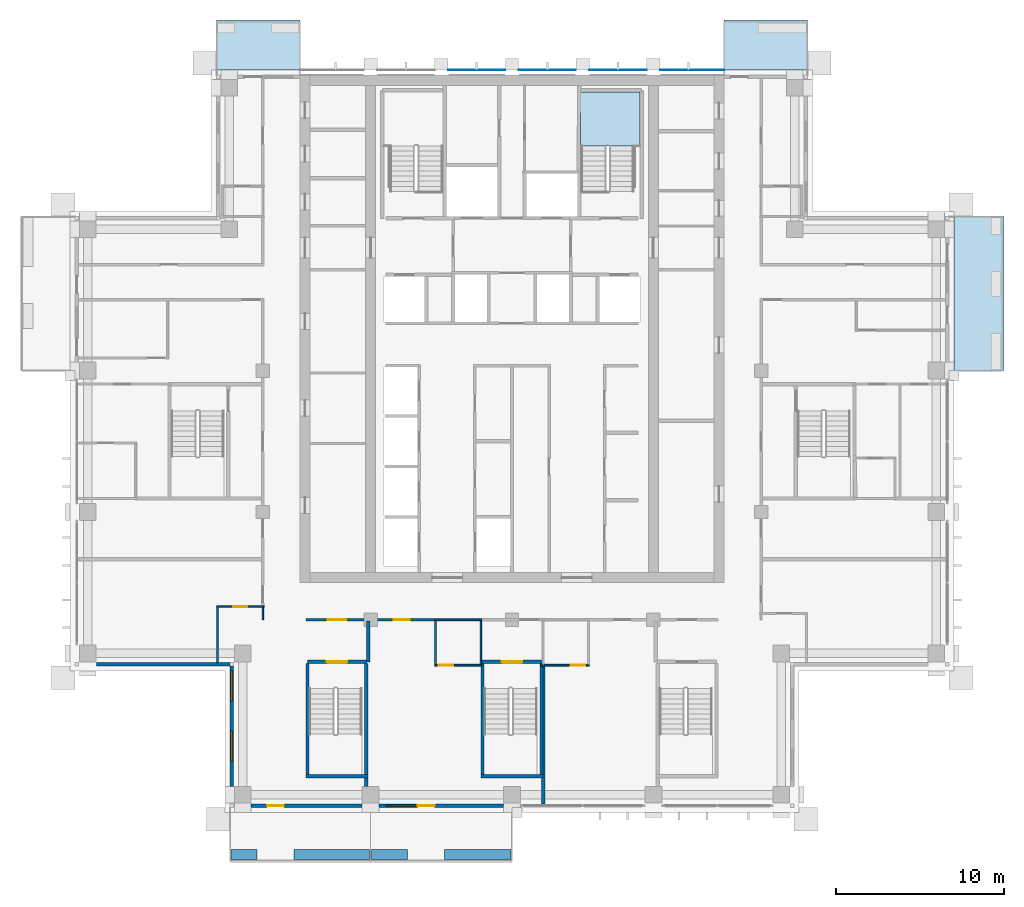
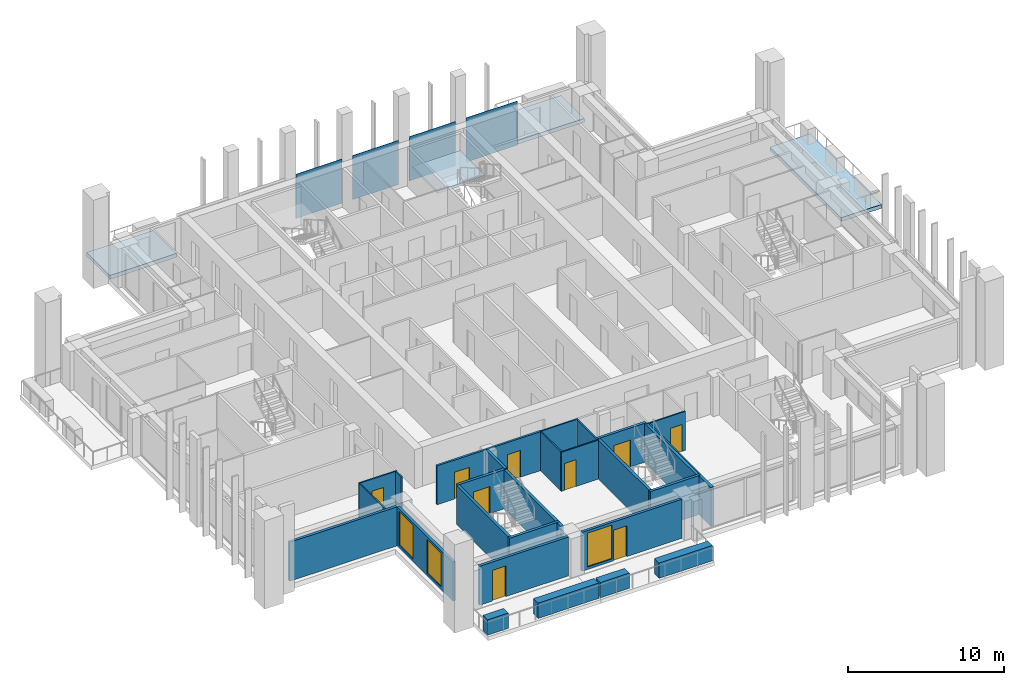
# One storey, part 6 of 16: 27 walls, 9 doors, 4 plates, 4 slabs, 3 windows, 12 openings, 1 element without a shape of its own.
"""IFC4 building model written with IfcOpenShell, lengths in metres."""

from ifc_helpers import new_model, si_unit, direction, frame, frame_2d, origin, origin_2d, place, context, subcontext, project, spatial, polyline, rectangle, outline, extrude, material, layer, layer_set, type_object, element, fill, aggregate, save


model = new_model("IFC4")

# Units and contexts
model_context = context("Model", 3, precision=1e-05, world=origin(), true_north=direction((0.0, 1.0)))
body_context = subcontext(model_context, "Body", "Model", "MODEL_VIEW")
ifc_project = project(units=[si_unit("LENGTHUNIT", "METRE"), si_unit("AREAUNIT", "SQUARE_METRE"), si_unit("VOLUMEUNIT", "CUBIC_METRE"), si_unit("PLANEANGLEUNIT", "RADIAN"), si_unit("MASSUNIT", "GRAM", prefix="KILO")], contexts=[model_context])

# Site, building, storey
site_placement = place(None, origin())
site = spatial("IfcSite", under=ifc_project, at=site_placement, CompositionType="ELEMENT")
building_placement = place(site_placement, origin())
building = spatial("IfcBuilding", under=site, at=building_placement, Name="Vermilion Ogive Tower", CompositionType="ELEMENT")
storey_placement = place(building_placement, frame((0.0, 0.0, 206.60009765625)))
storey = spatial("IfcBuildingStorey", under=building, at=storey_placement, Name="L54", CompositionType="ELEMENT", Elevation=206.60009765625)

# Slabs
ifc_material_1 = material(Name="Concrete B40", Category="concrete")
ifc_layer_1 = layer(ifc_material_1, 0.300048828125)
ifc_layer_set_1 = layer_set([ifc_layer_1], Name="Balcony slab")
slab_type_1 = type_object("IfcSlabType", Name="Balcony slab", PredefinedType="FLOOR", material=ifc_layer_set_1)
slab_1_placement = place(storey_placement, frame((0.0, 0.0, -0.340087890625)))
element("IfcSlab", 1, at=slab_1_placement, inside=storey, type_object=slab_type_1, Name="Balcony slab E03", PredefinedType="FLOOR", context=body_context, shape_type="SweptSolid", body=[
    extrude(outline(polyline([(29.22998046875, 4.199951171875), (29.22998046875, 13.35009765625), (26.25, 13.35009765625), (26.25, 4.199951171875), (29.22998046875, 4.199951171875)])), origin(), (0.0, 0.0, 1.0), 0.300048828125),
])
slab_2_placement = place(storey_placement, frame((0.0, 0.0, -0.340087890625)))
element("IfcSlab", 2, at=slab_2_placement, inside=storey, type_object=slab_type_1, Name="Balcony slab N101", PredefinedType="FLOOR", context=body_context, shape_type="SweptSolid", body=[
    extrude(outline(polyline([(17.550048828125, 25.030029296875), (12.60009765625, 25.030029296875), (12.60009765625, 22.050048828125), (17.550048828125, 22.050048828125), (17.550048828125, 25.030029296875)])), origin(), (0.0, 0.0, 1.0), 0.300048828125),
])
slab_3_placement = place(storey_placement, frame((0.0, 0.0, -0.340087890625)))
element("IfcSlab", 3, at=slab_3_placement, inside=storey, type_object=slab_type_1, Name="Balcony slab N201", PredefinedType="FLOOR", context=body_context, shape_type="SweptSolid", body=[
    extrude(outline(polyline([(-12.60009765625, 25.030029296875), (-17.550048828125, 25.030029296875), (-17.550048828125, 22.050048828125), (-12.60009765625, 22.050048828125), (-12.60009765625, 25.030029296875)])), origin(), (0.0, 0.0, 1.0), 0.300048828125),
])

# Plates
ifc_material_2 = material(Name="Low-iron laminated glazing in aluminium frame", Category="aluminium")
ifc_layer_2 = layer(ifc_material_2, 0.031982421875)
ifc_layer_set_2 = layer_set([ifc_layer_2], Name="Glazed rainscreen sheet 32")
plate_type = type_object("IfcPlateType", Name="Glazed rainscreen sheet 32", PredefinedType="SHEET", material=ifc_layer_set_2)
for number, where, z_axis, x_axis, name in (
    (4, (-2.10009765625, 22.06591796875, -0.39990234375), (0.0, 0.0, 1.0), (1.0, 0.0, 0.0), "Glazed rainscreen sheet N3"),
    (5, (2.10009765625, 22.06591796875, -0.39990234375), (0.0, 0.0, 1.0), (1.0, 0.0, 0.0), "Glazed rainscreen sheet N4"),
    (6, (6.300048828125, 22.06591796875, -0.39990234375), (0.0, 0.0, 1.0), (1.0, 0.0, 0.0), "Glazed rainscreen sheet N5"),
):
    element("IfcPlate", number, at=place(storey_placement, frame(where, z_axis=z_axis, x_axis=x_axis)), inside=storey, type_object=plate_type, Name=name, PredefinedType="SHEET", context=body_context, shape_type="SweptSolid", body=[
        extrude(rectangle(XDim=3.39990234375, YDim=0.031982421875, at=origin_2d()), origin(), (0.0, 0.0, 1.0), 3.449951171875),
    ])
plate_placement = place(storey_placement, frame((10.7099609375, 22.06591796875, -0.39990234375), z_axis=(0.0, 0.0, 1.0), x_axis=(1.0, 0.0, 0.0)))
element("IfcPlate", 7, at=plate_placement, inside=storey, type_object=plate_type, Name="Glazed rainscreen sheet N6", PredefinedType="SHEET", context=body_context, shape_type="SweptSolid", body=[
    extrude(rectangle(XDim=3.820068359375, YDim=0.031982421875, at=origin_2d()), origin(), (0.0, 0.0, 1.0), 3.449951171875),
])

# Stair, slab
ifc_material_3 = material(Name="Concrete B40", Category="concrete")
stair_type = type_object("IfcStairType", Name="Exit stair 1500", PredefinedType="HALF_TURN_STAIR", material=ifc_material_3)
stair_placement = place(storey_placement, origin())
stair = element("IfcStair", 8, at=stair_placement, inside=storey, type_object=stair_type, Name="L54 Exit Stair ST2", PredefinedType="HALF_TURN_STAIR")
ifc_material_4 = material(Name="Concrete B40", Category="concrete")
ifc_layer_3 = layer(ifc_material_4, 0.199951171875)
ifc_layer_set_3 = layer_set([ifc_layer_3], Name="Stair landing 200")
slab_type_2 = type_object("IfcSlabType", Name="Stair landing 200", PredefinedType="LANDING", material=ifc_layer_set_3)
slab_4_placement = place(storey_placement, frame((0.0, 0.0, 1.52490234375)))
slab_4 = element("IfcSlab", 9, at=slab_4_placement, type_object=slab_type_2, Name="ST2 landing 1", PredefinedType="LANDING", context=body_context, shape_type="SweptSolid", body=[
    extrude(outline(polyline([(5.60009765625, 17.550048828125), (5.75, 17.550048828125), (5.75, 17.548095703125), (7.25, 17.548095703125), (7.25, 17.550048828125), (7.60009765625, 17.550048828125), (7.60009765625, 20.75), (4.074951171875, 20.75), (4.074951171875, 17.550048828125), (4.10009765625, 17.550048828125), (4.10009765625, 17.548095703125), (5.60009765625, 17.548095703125), (5.60009765625, 17.550048828125)])), origin(), (0.0, 0.0, 1.0), 0.199951171875),
])
aggregate(stair, [slab_4])

# Wall, opening, door
ifc_material_5 = material(Name="Gypsum board partition on steel studs", Category="steel")
ifc_layer_4 = layer(ifc_material_5, 0.10009765625)
ifc_layer_set_4 = layer_set([ifc_layer_4], Name="Partition 100 bath")
wall_type_1 = type_object("IfcWallType", Name="Partition 100 bath", PredefinedType="PARTITIONING", material=ifc_layer_set_4)
wall_1_placement = place(storey_placement, frame((-4.597900390625, -13.300048828125, 0.0), z_axis=(0.0, 0.0, 1.0), x_axis=(1.0, 0.0, 0.0)))
wall_1 = element("IfcWall", 10, at=wall_1_placement, inside=storey, type_object=wall_type_1, Name="L54-W-W002", PredefinedType="PARTITIONING", context=body_context, shape_type="SweptSolid", body=[
    extrude(rectangle(XDim=2.7958984375, YDim=0.10009765625, at=frame_2d((1.39794921875, 0.0))), origin(), (0.0, 0.0, 1.0), 3.0498046875),
])
opening_1_placement = place(wall_1_placement, frame((0.247802734375, 0.0, 0.0)))
opening_1 = element("IfcOpeningElement", 11, at=opening_1_placement, cuts=wall_1, Name="Opening D4G5010", PredefinedType="OPENING", context=body_context, shape_type="SweptSolid", body=[
    extrude(rectangle(XDim=0.85009765625, YDim=2.10009765625, at=frame_2d((0.425048828125, 1.050048828125))), frame((0.0, 0.06005859375, 0.0), z_axis=(0.0, -1.0, 0.0), x_axis=(1.0, 0.0, 0.0)), (0.0, 0.0, 1.0), 0.1201171875),
])
ifc_material_6 = material(Name="Timber door leaf", Category="wood")
door_type_1 = type_object("IfcDoorType", Name="Bath door 850 x 2100 FD30", OperationType="SINGLE_SWING_LEFT", PredefinedType="DOOR", material=ifc_material_6)
door_1_placement = place(opening_1_placement, origin())
door_1 = element("IfcDoor", 12, at=door_1_placement, inside=storey, type_object=door_type_1, Name="L54-D-D010", OperationType="SINGLE_SWING_LEFT", OverallHeight=2.10009765625, OverallWidth=0.85009765625, PredefinedType="DOOR", context=body_context, shape_type="SweptSolid", body=[
    extrude(rectangle(XDim=0.85009765625, YDim=2.10009765625, at=frame_2d((0.425048828125, 1.050048828125))), frame((0.0, 0.02490234375, 0.0), z_axis=(0.0, -1.0, 0.0), x_axis=(1.0, 0.0, 0.0)), (0.0, 0.0, 1.0), 0.050048828125),
])
fill(opening_1, door_1)

wall_2_placement = place(storey_placement, frame((1.75, -13.300048828125, 0.0), z_axis=(0.0, 0.0, 1.0), x_axis=(1.0, 0.0, 0.0)))
wall_2 = element("IfcWall", 13, at=wall_2_placement, inside=storey, type_object=wall_type_1, Name="L54-W-W003", PredefinedType="PARTITIONING", context=body_context, shape_type="SweptSolid", body=[
    extrude(rectangle(XDim=2.85009765625, YDim=0.10009765625, at=frame_2d((1.425048828125, 0.0))), origin(), (0.0, 0.0, 1.0), 3.0498046875),
])
opening_2_placement = place(wall_2_placement, frame((1.75, 0.0, 0.0)))
opening_2 = element("IfcOpeningElement", 14, at=opening_2_placement, cuts=wall_2, Name="Opening D4G5012", PredefinedType="OPENING", context=body_context, shape_type="SweptSolid", body=[
    extrude(rectangle(XDim=0.85009765625, YDim=2.10009765625, at=frame_2d((0.425048828125, 1.050048828125))), frame((0.0, 0.06005859375, 0.0), z_axis=(0.0, -1.0, 0.0), x_axis=(1.0, 0.0, 0.0)), (0.0, 0.0, 1.0), 0.1201171875),
])
door_2_placement = place(opening_2_placement, origin())
door_2 = element("IfcDoor", 15, at=door_2_placement, inside=storey, type_object=door_type_1, Name="L54-D-D012", OperationType="SINGLE_SWING_RIGHT", OverallHeight=2.10009765625, OverallWidth=0.85009765625, PredefinedType="DOOR", context=body_context, shape_type="SweptSolid", body=[
    extrude(rectangle(XDim=0.85009765625, YDim=2.10009765625, at=frame_2d((0.425048828125, 1.050048828125))), frame((0.0, 0.02490234375, 0.0), z_axis=(0.0, -1.0, 0.0), x_axis=(1.0, 0.0, 0.0)), (0.0, 0.0, 1.0), 0.050048828125),
])
fill(opening_2, door_2)

# Wall
wall_3_placement = place(storey_placement, frame((-4.60009765625, -10.60009765625, 0.0), z_axis=(0.0, 0.0, 1.0), x_axis=(1.0, 0.0, 0.0)))
element("IfcWall", 16, at=wall_3_placement, inside=storey, type_object=wall_type_1, Name="L54-W-W008", PredefinedType="PARTITIONING", context=body_context, shape_type="SweptSolid", body=[
    extrude(rectangle(XDim=2.800048828125, YDim=0.10009765625, at=frame_2d((1.39990234375, 0.0))), origin(), (0.0, 0.0, 1.0), 3.0498046875),
])

# Wall, opening, door
wall_4_placement = place(storey_placement, frame((-17.550048828125, -9.820068359375, 0.0), z_axis=(0.0, 0.0, 1.0), x_axis=(1.0, 0.0, 0.0)))
wall_4 = element("IfcWall", 17, at=wall_4_placement, inside=storey, type_object=wall_type_1, Name="L54-W-W013", PredefinedType="PARTITIONING", context=body_context, shape_type="SweptSolid", body=[
    extrude(rectangle(XDim=2.824951171875, YDim=0.10009765625, at=frame_2d((1.41259765625, 0.0))), origin(), (0.0, 0.0, 1.0), 3.0498046875),
])
opening_3_placement = place(wall_4_placement, frame((0.97509765625, 0.0, 0.0)))
opening_3 = element("IfcOpeningElement", 18, at=opening_3_placement, cuts=wall_4, Name="Opening D4G5002", PredefinedType="OPENING", context=body_context, shape_type="SweptSolid", body=[
    extrude(rectangle(XDim=0.85009765625, YDim=2.10009765625, at=frame_2d((0.425048828125, 1.050048828125))), frame((0.0, 0.06005859375, 0.0), z_axis=(0.0, -1.0, 0.0), x_axis=(1.0, 0.0, 0.0)), (0.0, 0.0, 1.0), 0.1201171875),
])
door_3_placement = place(opening_3_placement, origin())
door_3 = element("IfcDoor", 19, at=door_3_placement, inside=storey, type_object=door_type_1, Name="L54-D-D002", OperationType="SINGLE_SWING_RIGHT", OverallHeight=2.10009765625, OverallWidth=0.85009765625, PredefinedType="DOOR", context=body_context, shape_type="SweptSolid", body=[
    extrude(rectangle(XDim=0.85009765625, YDim=2.10009765625, at=frame_2d((0.425048828125, 1.050048828125))), frame((0.0, 0.02490234375, 0.0), z_axis=(0.0, -1.0, 0.0), x_axis=(1.0, 0.0, 0.0)), (0.0, 0.0, 1.0), 0.050048828125),
])
fill(opening_3, door_3)

# Walls
wall_5_placement = place(storey_placement, frame((-17.5, -13.14990234375, 0.0), z_axis=(0.0, 0.0, 1.0), x_axis=(0.0, 1.0, 0.0)))
element("IfcWall", 20, at=wall_5_placement, inside=storey, type_object=wall_type_1, Name="L54-W-W042", PredefinedType="PARTITIONING", context=body_context, shape_type="SweptSolid", body=[
    extrude(rectangle(XDim=3.27978515625, YDim=0.10009765625, at=frame_2d((1.639892578125, 0.0))), origin(), (0.0, 0.0, 1.0), 3.0498046875),
])
wall_6_placement = place(storey_placement, frame((-14.800048828125, -10.60009765625, 0.0), z_axis=(0.0, 0.0, 1.0), x_axis=(0.0, 1.0, 0.0)))
element("IfcWall", 21, at=wall_6_placement, inside=storey, type_object=wall_type_1, Name="L54-W-W045", PredefinedType="PARTITIONING", context=body_context, shape_type="SweptSolid", body=[
    extrude(rectangle(XDim=0.72998046875, YDim=0.10009765625, at=frame_2d((0.364990234375, 0.0))), origin(), (0.0, 0.0, 1.0), 3.0498046875),
])
for number, where, z_axis, x_axis, name in (
    (22, (-4.550048828125, -13.248046875, 0.0), (0.0, 0.0, 1.0), (0.0, 1.0, 0.0), "L54-W-W051"),
    (23, (-1.85009765625, -13.248046875, 0.0), (0.0, 0.0, 1.0), (0.0, 1.0, 0.0), "L54-W-W052"),
):
    element("IfcWall", number, at=place(storey_placement, frame(where, z_axis=z_axis, x_axis=x_axis)), inside=storey, type_object=wall_type_1, Name=name, PredefinedType="PARTITIONING", context=body_context, shape_type="SweptSolid", body=[
        extrude(rectangle(XDim=2.572998046875, YDim=0.10009765625, at=frame_2d((1.28662109375, 0.0))), origin(), (0.0, 0.0, 1.0), 3.0498046875),
    ])

# Wall, openings, doors
ifc_material_7 = material(Name="Gypsum board partition on steel studs", Category="steel")
ifc_layer_5 = layer(ifc_material_7, 0.14990234375)
ifc_layer_set_5 = layer_set([ifc_layer_5], Name="Partition 150 corridor")
wall_type_2 = type_object("IfcWallType", Name="Partition 150 corridor", PredefinedType="PARTITIONING", material=ifc_layer_set_5)
wall_7_placement = place(storey_placement, frame((-12.25, -10.60009765625, 0.0), z_axis=(0.0, 0.0, 1.0), x_axis=(1.0, 0.0, 0.0)))
wall_7 = element("IfcWall", 24, at=wall_7_placement, inside=storey, type_object=wall_type_2, Name="L54-W-W007", PredefinedType="PARTITIONING", context=body_context, shape_type="SweptSolid", body=[
    extrude(rectangle(XDim=7.75, YDim=0.14990234375, at=frame_2d((3.875, 0.0))), origin(), (0.0, 0.0, 1.0), 3.0498046875),
])
opening_4_placement = place(wall_7_placement, frame((5.22509765625, 0.0, 0.0)))
opening_4 = element("IfcOpeningElement", 25, at=opening_4_placement, cuts=wall_7, Name="Opening D4G5009", PredefinedType="OPENING", context=body_context, shape_type="SweptSolid", body=[
    extrude(rectangle(XDim=0.949951171875, YDim=2.10009765625, at=frame_2d((0.47509765625, 1.050048828125))), frame((0.0, 0.0849609375, 0.0), z_axis=(0.0, -1.0, 0.0), x_axis=(1.0, 0.0, 0.0)), (0.0, 0.0, 1.0), 0.169921875),
])
opening_5_placement = place(wall_7_placement, frame((1.300048828125, 0.0, 0.0)))
opening_5 = element("IfcOpeningElement", 26, at=opening_5_placement, cuts=wall_7, Name="Opening D4G5022", PredefinedType="OPENING", context=body_context, shape_type="SweptSolid", body=[
    extrude(rectangle(XDim=1.10009765625, YDim=2.10009765625, at=frame_2d((0.550048828125, 1.050048828125))), frame((0.0, 0.0849609375, 0.0), z_axis=(0.0, -1.0, 0.0), x_axis=(1.0, 0.0, 0.0)), (0.0, 0.0, 1.0), 0.169921875),
])
ifc_material_8 = material(Name="Timber door leaf", Category="wood")
door_type_2 = type_object("IfcDoorType", Name="Stair door 1100 x 2100 FD60S", OperationType="SINGLE_SWING_LEFT", PredefinedType="DOOR", material=ifc_material_8)
door_4_placement = place(opening_5_placement, origin())
door_4 = element("IfcDoor", 27, at=door_4_placement, inside=storey, type_object=door_type_2, Name="L54-D-D022", OperationType="SINGLE_SWING_RIGHT", OverallHeight=2.10009765625, OverallWidth=1.10009765625, PredefinedType="DOOR", context=body_context, shape_type="SweptSolid", body=[
    extrude(rectangle(XDim=1.10009765625, YDim=2.10009765625, at=frame_2d((0.550048828125, 1.050048828125))), frame((0.0, 0.02490234375, 0.0), z_axis=(0.0, -1.0, 0.0), x_axis=(1.0, 0.0, 0.0)), (0.0, 0.0, 1.0), 0.050048828125),
])
fill(opening_5, door_4)
ifc_material_9 = material(Name="Timber door leaf", Category="wood")
door_type_3 = type_object("IfcDoorType", Name="Unit door 950 x 2100 FD30S", OperationType="SINGLE_SWING_LEFT", PredefinedType="DOOR", material=ifc_material_9)
door_5_placement = place(opening_4_placement, origin())
door_5 = element("IfcDoor", 28, at=door_5_placement, inside=storey, type_object=door_type_3, Name="L54-D-D009", OperationType="SINGLE_SWING_LEFT", OverallHeight=2.10009765625, OverallWidth=0.949951171875, PredefinedType="DOOR", context=body_context, shape_type="SweptSolid", body=[
    extrude(rectangle(XDim=0.949951171875, YDim=2.10009765625, at=frame_2d((0.47509765625, 1.050048828125))), frame((0.0, 0.02490234375, 0.0), z_axis=(0.0, -1.0, 0.0), x_axis=(1.0, 0.0, 0.0)), (0.0, 0.0, 1.0), 0.050048828125),
])
fill(opening_4, door_5)

# Walls
ifc_material_10 = material(Name="Gypsum board partition on steel studs", Category="steel")
ifc_layer_6 = layer(ifc_material_10, 0.199951171875)
ifc_layer_set_6 = layer_set([ifc_layer_6], Name="Partition 200 party")
wall_type_3 = type_object("IfcWallType", Name="Partition 200 party", PredefinedType="PARTITIONING", material=ifc_layer_set_6)
wall_8_placement = place(storey_placement, frame((-8.550048828125, -13.10009765625, 0.0), z_axis=(0.0, 0.0, 1.0), x_axis=(0.0, 1.0, 0.0)))
element("IfcWall", 29, at=wall_8_placement, inside=storey, type_object=wall_type_3, Name="L54-W-W050", PredefinedType="PARTITIONING", context=body_context, shape_type="SweptSolid", body=[
    extrude(rectangle(XDim=2.425048828125, YDim=0.199951171875, at=frame_2d((1.21240234375, 0.0))), origin(), (0.0, 0.0, 1.0), 3.0498046875),
])
ifc_material_11 = material(Name="Concrete B60", Category="concrete")
ifc_layer_7 = layer(ifc_material_11, 0.199951171875)
ifc_layer_set_7 = layer_set([ifc_layer_7], Name="Stair shaft wall 200 Concrete B60")
wall_type_4 = type_object("IfcWallType", Name="Stair shaft wall 200 Concrete B60", PredefinedType="SOLIDWALL", material=ifc_layer_set_7)
wall_9_placement = place(storey_placement, frame((-1.847900390625, -19.89990234375, 0.0), z_axis=(0.0, 0.0, 1.0), x_axis=(1.0, 0.0, 0.0)))
element("IfcWall", 30, at=wall_9_placement, inside=storey, type_object=wall_type_4, Name="L54-W-W001", PredefinedType="SOLIDWALL", context=body_context, shape_type="SweptSolid", body=[
    extrude(rectangle(XDim=3.69580078125, YDim=0.199951171875, at=frame_2d((1.847900390625, 0.0))), origin(), (0.0, 0.0, 1.0), 3.0498046875),
])

# Wall, opening, door
wall_10_placement = place(storey_placement, frame((-12.14990234375, -13.10009765625, 0.0), z_axis=(0.0, 0.0, 1.0), x_axis=(1.0, 0.0, 0.0)))
wall_10 = element("IfcWall", 31, at=wall_10_placement, inside=storey, type_object=wall_type_4, Name="L54-W-W004", PredefinedType="SOLIDWALL", context=body_context, shape_type="SweptSolid", body=[
    extrude(rectangle(XDim=3.5, YDim=0.199951171875, at=frame_2d((1.75, 0.0))), origin(), (0.0, 0.0, 1.0), 3.0498046875),
])
opening_6_placement = place(wall_10_placement, frame((1.14990234375, 0.0, 0.0)))
opening_6 = element("IfcOpeningElement", 32, at=opening_6_placement, cuts=wall_10, Name="Opening D4G5023", PredefinedType="OPENING", context=body_context, shape_type="SweptSolid", body=[
    extrude(rectangle(XDim=1.199951171875, YDim=2.10009765625, at=frame_2d((0.60009765625, 1.050048828125))), frame((0.0, 0.10986328125, 0.0), z_axis=(0.0, -1.0, 0.0), x_axis=(1.0, 0.0, 0.0)), (0.0, 0.0, 1.0), 0.219970703125),
])
ifc_material_12 = material(Name="Timber door leaf", Category="wood")
door_type_4 = type_object("IfcDoorType", Name="Stair door 1200 x 2100 FD60S", OperationType="SINGLE_SWING_LEFT", PredefinedType="DOOR", material=ifc_material_12)
door_6_placement = place(opening_6_placement, origin())
door_6 = element("IfcDoor", 33, at=door_6_placement, inside=storey, type_object=door_type_4, Name="L54-D-D023", OperationType="SINGLE_SWING_RIGHT", OverallHeight=2.10009765625, OverallWidth=1.199951171875, PredefinedType="DOOR", context=body_context, shape_type="SweptSolid", body=[
    extrude(rectangle(XDim=1.199951171875, YDim=2.10009765625, at=frame_2d((0.60009765625, 1.050048828125))), frame((0.0, 0.02490234375, 0.0), z_axis=(0.0, -1.0, 0.0), x_axis=(1.0, 0.0, 0.0)), (0.0, 0.0, 1.0), 0.050048828125),
])
fill(opening_6, door_6)

wall_11_placement = place(storey_placement, frame((-1.798095703125, -13.10009765625, 0.0), z_axis=(0.0, 0.0, 1.0), x_axis=(1.0, 0.0, 0.0)))
wall_11 = element("IfcWall", 34, at=wall_11_placement, inside=storey, type_object=wall_type_4, Name="L54-W-W005", PredefinedType="SOLIDWALL", context=body_context, shape_type="SweptSolid", body=[
    extrude(rectangle(XDim=3.59619140625, YDim=0.199951171875, at=frame_2d((1.798095703125, 0.0))), origin(), (0.0, 0.0, 1.0), 3.0498046875),
])
opening_7_placement = place(wall_11_placement, frame((1.197998046875, 0.0, 0.0)))
opening_7 = element("IfcOpeningElement", 35, at=opening_7_placement, cuts=wall_11, Name="Opening D4G5025", PredefinedType="OPENING", context=body_context, shape_type="SweptSolid", body=[
    extrude(rectangle(XDim=1.199951171875, YDim=2.10009765625, at=frame_2d((0.60009765625, 1.050048828125))), frame((0.0, 0.10986328125, 0.0), z_axis=(0.0, -1.0, 0.0), x_axis=(1.0, 0.0, 0.0)), (0.0, 0.0, 1.0), 0.219970703125),
])
door_7_placement = place(opening_7_placement, origin())
door_7 = element("IfcDoor", 36, at=door_7_placement, inside=storey, type_object=door_type_4, Name="L54-D-D025", OperationType="SINGLE_SWING_RIGHT", OverallHeight=2.10009765625, OverallWidth=1.199951171875, PredefinedType="DOOR", context=body_context, shape_type="SweptSolid", body=[
    extrude(rectangle(XDim=1.199951171875, YDim=2.10009765625, at=frame_2d((0.60009765625, 1.050048828125))), frame((0.0, 0.02490234375, 0.0), z_axis=(0.0, -1.0, 0.0), x_axis=(1.0, 0.0, 0.0)), (0.0, 0.0, 1.0), 0.050048828125),
])
fill(opening_7, door_7)

# Walls
for number, where, z_axis, x_axis, name in (
    (37, (-1.75, -19.798095703125, 0.0), (0.0, 0.0, 1.0), (0.0, 1.0, 0.0), "L54-W-W053"),
    (38, (1.75, -19.798095703125, 0.0), (0.0, 0.0, 1.0), (0.0, 1.0, 0.0), "L54-W-W054"),
):
    element("IfcWall", number, at=place(storey_placement, frame(where, z_axis=z_axis, x_axis=x_axis)), inside=storey, type_object=wall_type_4, Name=name, PredefinedType="SOLIDWALL", context=body_context, shape_type="SweptSolid", body=[
        extrude(rectangle(XDim=6.59619140625, YDim=0.199951171875, at=frame_2d((3.298095703125, 0.0))), origin(), (0.0, 0.0, 1.0), 3.0498046875),
    ])
wall_12_placement = place(storey_placement, frame((-12.25, -19.89990234375, 0.0), z_axis=(0.0, 0.0, 1.0), x_axis=(1.0, 0.0, 0.0)))
element("IfcWall", 39, at=wall_12_placement, inside=storey, type_object=wall_type_4, Name="L54-SW-ST3-S1", PredefinedType="SOLIDWALL", context=body_context, shape_type="SweptSolid", body=[
    extrude(rectangle(XDim=3.699951171875, YDim=0.199951171875, at=frame_2d((1.85009765625, 0.0))), origin(), (0.0, 0.0, 1.0), 3.0498046875),
])
wall_13_placement = place(storey_placement, frame((-12.14990234375, -19.800048828125, 0.0), z_axis=(0.0, 0.0, 1.0), x_axis=(0.0, 1.0, 0.0)))
element("IfcWall", 40, at=wall_13_placement, inside=storey, type_object=wall_type_4, Name="L54-SW-ST3-W1", PredefinedType="SOLIDWALL", context=body_context, shape_type="SweptSolid", body=[
    extrude(rectangle(XDim=6.60009765625, YDim=0.199951171875, at=frame_2d((3.300048828125, 0.0))), origin(), (0.0, 0.0, 1.0), 3.0498046875),
])
wall_14_placement = place(storey_placement, frame((-8.64990234375, -20.5, 0.0), z_axis=(0.0, 0.0, 1.0), x_axis=(0.0, 1.0, 0.0)))
element("IfcWall", 41, at=wall_14_placement, inside=storey, type_object=wall_type_4, Name="L54-SW-ST3-E1-A", PredefinedType="SOLIDWALL", context=body_context, shape_type="SweptSolid", body=[
    extrude(rectangle(XDim=7.300048828125, YDim=0.199951171875, at=frame_2d((3.64990234375, 0.0))), origin(), (0.0, 0.0, 1.0), 3.0498046875),
])
wall_15_placement = place(storey_placement, frame((1.85009765625, -21.550048828125, 0.0), z_axis=(0.0, 0.0, 1.0), x_axis=(0.0, 1.0, 0.0)))
element("IfcWall", 42, at=wall_15_placement, inside=storey, type_object=wall_type_4, Name="L54-W-W055-A", PredefinedType="SOLIDWALL", context=body_context, shape_type="SweptSolid", body=[
    extrude(rectangle(XDim=8.199951171875, YDim=0.199951171875, at=frame_2d((4.10009765625, 0.0))), origin(), (0.0, 0.0, 1.0), 3.0498046875),
])
ifc_material_13 = material(Name="Concrete B40", Category="concrete")
ifc_layer_8 = layer(ifc_material_13, 0.60009765625)
ifc_layer_set_8 = layer_set([ifc_layer_8], Name="Structural planter")
wall_type_5 = type_object("IfcWallType", Name="Structural planter", PredefinedType="USERDEFINED", material=ifc_layer_set_8)
wall_16_placement = place(storey_placement, frame((-16.68994140625, -24.550048828125, -0.0400390625), z_axis=(0.0, 0.0, 1.0), x_axis=(1.0, 0.0, 0.0)))
element("IfcWall", 43, at=wall_16_placement, inside=storey, type_object=wall_type_5, Name="Planter S01A1", ObjectType="PLANTER", PredefinedType="USERDEFINED", context=body_context, shape_type="SweptSolid", body=[
    extrude(rectangle(XDim=1.5400390625, YDim=0.60009765625, at=frame_2d((0.77001953125, 0.0))), origin(), (0.0, 0.0, 1.0), 1.199951171875),
])
wall_17_placement = place(storey_placement, frame((-12.949951171875, -24.550048828125, -0.0400390625), z_axis=(0.0, 0.0, 1.0), x_axis=(1.0, 0.0, 0.0)))
element("IfcWall", 44, at=wall_17_placement, inside=storey, type_object=wall_type_5, Name="Planter S01A2", ObjectType="PLANTER", PredefinedType="USERDEFINED", context=body_context, shape_type="SweptSolid", body=[
    extrude(rectangle(XDim=4.489990234375, YDim=0.60009765625, at=frame_2d((2.2451171875, 0.0))), origin(), (0.0, 0.0, 1.0), 1.199951171875),
])
wall_18_placement = place(storey_placement, frame((-8.340087890625, -24.550048828125, -0.0400390625), z_axis=(0.0, 0.0, 1.0), x_axis=(1.0, 0.0, 0.0)))
element("IfcWall", 45, at=wall_18_placement, inside=storey, type_object=wall_type_5, Name="Planter S02A1", ObjectType="PLANTER", PredefinedType="USERDEFINED", context=body_context, shape_type="SweptSolid", body=[
    extrude(rectangle(XDim=2.14013671875, YDim=0.60009765625, at=frame_2d((1.070068359375, 0.0))), origin(), (0.0, 0.0, 1.0), 1.199951171875),
])
wall_19_placement = place(storey_placement, frame((-4.0, -24.550048828125, -0.0400390625), z_axis=(0.0, 0.0, 1.0), x_axis=(1.0, 0.0, 0.0)))
element("IfcWall", 46, at=wall_19_placement, inside=storey, type_object=wall_type_5, Name="Planter S02A2", ObjectType="PLANTER", PredefinedType="USERDEFINED", context=body_context, shape_type="SweptSolid", body=[
    extrude(rectangle(XDim=3.93994140625, YDim=0.60009765625, at=frame_2d((1.969970703125, 0.0))), origin(), (0.0, 0.0, 1.0), 1.199951171875),
])

# Wall, opening, door
ifc_material_14 = material(Name="Aluminium window wall framing", Category="aluminium")
ifc_layer_9 = layer(ifc_material_14, 0.199951171875)
ifc_layer_set_9 = layer_set([ifc_layer_9], Name="Window wall")
wall_type_6 = type_object("IfcWallType", Name="Window wall", PredefinedType="STANDARD", material=ifc_layer_set_9)
wall_20_placement = place(storey_placement, frame((-15.5, -21.64990234375, 0.0), z_axis=(0.0, 0.0, 1.0), x_axis=(1.0, 0.0, 0.0)))
wall_20 = element("IfcWall", 47, at=wall_20_placement, inside=storey, type_object=wall_type_6, Name="Window wall S1", PredefinedType="STANDARD", context=body_context, shape_type="SweptSolid", body=[
    extrude(rectangle(XDim=6.60009765625, YDim=0.199951171875, at=frame_2d((3.300048828125, 0.0))), origin(), (0.0, 0.0, 1.0), 3.0498046875),
])
opening_8_placement = place(wall_20_placement, frame((0.949951171875, 0.0, 0.0)))
opening_8 = element("IfcOpeningElement", 48, at=opening_8_placement, cuts=wall_20, Name="Opening D1-S96K", PredefinedType="OPENING", context=body_context, shape_type="SweptSolid", body=[
    extrude(rectangle(XDim=1.0, YDim=2.39990234375, at=frame_2d((0.5, 1.199951171875))), frame((0.0, 0.10986328125, 0.0), z_axis=(0.0, -1.0, 0.0), x_axis=(1.0, 0.0, 0.0)), (0.0, 0.0, 1.0), 0.219970703125),
])
ifc_material_15 = material(Name="Aluminium framed glazed door", Category="aluminium")
door_type_5 = type_object("IfcDoorType", Name="Balcony door D1", OperationType="SINGLE_SWING_LEFT", PredefinedType="DOOR", material=ifc_material_15)
door_8_placement = place(opening_8_placement, origin())
door_8 = element("IfcDoor", 49, at=door_8_placement, inside=storey, type_object=door_type_5, Name="Balcony door S96K", OperationType="SINGLE_SWING_LEFT", OverallHeight=2.39990234375, OverallWidth=1.0, PredefinedType="DOOR", context=body_context, shape_type="SweptSolid", body=[
    extrude(rectangle(XDim=1.0, YDim=2.39990234375, at=frame_2d((0.5, 1.199951171875))), frame((0.0, 0.02490234375, 0.0), z_axis=(0.0, -1.0, 0.0), x_axis=(1.0, 0.0, 0.0)), (0.0, 0.0, 1.0), 0.050048828125),
])
fill(opening_8, door_8)

# Wall, openings, door, window
wall_21_placement = place(storey_placement, frame((-7.89990234375, -21.64990234375, 0.0), z_axis=(0.0, 0.0, 1.0), x_axis=(1.0, 0.0, 0.0)))
wall_21 = element("IfcWall", 50, at=wall_21_placement, inside=storey, type_object=wall_type_6, Name="Window wall S2", PredefinedType="STANDARD", context=body_context, shape_type="SweptSolid", body=[
    extrude(rectangle(XDim=7.39990234375, YDim=0.199951171875, at=frame_2d((3.699951171875, 0.0))), origin(), (0.0, 0.0, 1.0), 3.0498046875),
])
opening_9_placement = place(wall_21_placement, frame((0.39990234375, 0.0, 0.199951171875)))
opening_9 = element("IfcOpeningElement", 51, at=opening_9_placement, cuts=wall_21, Name="Opening W1-S98", PredefinedType="OPENING", context=body_context, shape_type="SweptSolid", body=[
    extrude(rectangle(XDim=1.800048828125, YDim=2.64990234375, at=frame_2d((0.89990234375, 1.324951171875))), frame((0.0, 0.10986328125, 0.0), z_axis=(0.0, -1.0, 0.0), x_axis=(1.0, 0.0, 0.0)), (0.0, 0.0, 1.0), 0.219970703125),
])
opening_10_placement = place(wall_21_placement, frame((2.300048828125, 0.0, 0.0)))
opening_10 = element("IfcOpeningElement", 52, at=opening_10_placement, cuts=wall_21, Name="Opening D1-S98", PredefinedType="OPENING", context=body_context, shape_type="SweptSolid", body=[
    extrude(rectangle(XDim=1.0, YDim=2.39990234375, at=frame_2d((0.5, 1.199951171875))), frame((0.0, 0.10986328125, 0.0), z_axis=(0.0, -1.0, 0.0), x_axis=(1.0, 0.0, 0.0)), (0.0, 0.0, 1.0), 0.219970703125),
])
door_9_placement = place(opening_10_placement, origin())
door_9 = element("IfcDoor", 53, at=door_9_placement, inside=storey, type_object=door_type_5, Name="Balcony door S98", OperationType="SINGLE_SWING_LEFT", OverallHeight=2.39990234375, OverallWidth=1.0, PredefinedType="DOOR", context=body_context, shape_type="SweptSolid", body=[
    extrude(rectangle(XDim=1.0, YDim=2.39990234375, at=frame_2d((0.5, 1.199951171875))), frame((0.0, 0.02490234375, 0.0), z_axis=(0.0, -1.0, 0.0), x_axis=(1.0, 0.0, 0.0)), (0.0, 0.0, 1.0), 0.050048828125),
])
fill(opening_10, door_9)
ifc_material_16 = material(Name="Aluminium framed double glazing", Category="aluminium")
window_type = type_object("IfcWindowType", Name="Guest window W1", PartitioningType="SINGLE_PANEL", PredefinedType="WINDOW", material=ifc_material_16)
window_1_placement = place(opening_9_placement, origin())
window_1 = element("IfcWindow", 54, at=window_1_placement, inside=storey, type_object=window_type, Name="Window S98", OverallHeight=2.64990234375, OverallWidth=1.800048828125, PartitioningType="SINGLE_PANEL", PredefinedType="WINDOW", context=body_context, shape_type="SweptSolid", body=[
    extrude(rectangle(XDim=1.800048828125, YDim=2.64990234375, at=frame_2d((0.89990234375, 1.324951171875))), frame((0.0, 0.030029296875, 0.0), z_axis=(0.0, -1.0, 0.0), x_axis=(1.0, 0.0, 0.0)), (0.0, 0.0, 1.0), 0.06005859375),
])
fill(opening_9, window_1)

# Wall
wall_22_placement = place(storey_placement, frame((-24.699951171875, -13.25, 0.0), z_axis=(0.0, 0.0, 1.0), x_axis=(1.0, 0.0, 0.0)))
element("IfcWall", 55, at=wall_22_placement, inside=storey, type_object=wall_type_6, Name="Window wall X71", PredefinedType="STANDARD", context=body_context, shape_type="SweptSolid", body=[
    extrude(rectangle(XDim=7.949951171875, YDim=0.199951171875, at=frame_2d((3.97509765625, 0.0))), origin(), (0.0, 0.0, 1.0), 3.0498046875),
])

# Wall, openings, windows
wall_23_placement = place(storey_placement, frame((-16.64990234375, -13.35009765625, 0.0), z_axis=(0.0, 0.0, 1.0), x_axis=(0.0, -1.0, 0.0)))
wall_23 = element("IfcWall", 56, at=wall_23_placement, inside=storey, type_object=wall_type_6, Name="Window wall X81", PredefinedType="STANDARD", context=body_context, shape_type="SweptSolid", body=[
    extrude(rectangle(XDim=7.14990234375, YDim=0.199951171875, at=frame_2d((3.574951171875, 0.0))), origin(), (0.0, 0.0, 1.0), 3.0498046875),
])
opening_11_placement = place(wall_23_placement, frame((3.85009765625, 0.0, 0.199951171875)))
opening_11 = element("IfcOpeningElement", 57, at=opening_11_placement, cuts=wall_23, Name="Opening W1-X895", PredefinedType="OPENING", context=body_context, shape_type="SweptSolid", body=[
    extrude(rectangle(XDim=1.800048828125, YDim=2.64990234375, at=frame_2d((0.89990234375, 1.324951171875))), frame((0.0, 0.10986328125, 0.0), z_axis=(0.0, -1.0, 0.0), x_axis=(1.0, 0.0, 0.0)), (0.0, 0.0, 1.0), 0.219970703125),
])
opening_12_placement = place(wall_23_placement, frame((0.27490234375, 0.0, 0.199951171875)))
opening_12 = element("IfcOpeningElement", 58, at=opening_12_placement, cuts=wall_23, Name="Opening W1-X896", PredefinedType="OPENING", context=body_context, shape_type="SweptSolid", body=[
    extrude(rectangle(XDim=1.800048828125, YDim=2.64990234375, at=frame_2d((0.89990234375, 1.324951171875))), frame((0.0, 0.10986328125, 0.0), z_axis=(0.0, -1.0, 0.0), x_axis=(1.0, 0.0, 0.0)), (0.0, 0.0, 1.0), 0.219970703125),
])
window_2_placement = place(opening_11_placement, origin())
window_2 = element("IfcWindow", 59, at=window_2_placement, inside=storey, type_object=window_type, Name="Window X895", OverallHeight=2.64990234375, OverallWidth=1.800048828125, PartitioningType="SINGLE_PANEL", PredefinedType="WINDOW", context=body_context, shape_type="SweptSolid", body=[
    extrude(rectangle(XDim=1.800048828125, YDim=2.64990234375, at=frame_2d((0.89990234375, 1.324951171875))), frame((0.0, 0.030029296875, 0.0), z_axis=(0.0, -1.0, 0.0), x_axis=(1.0, 0.0, 0.0)), (0.0, 0.0, 1.0), 0.06005859375),
])
fill(opening_11, window_2)
window_3_placement = place(opening_12_placement, origin())
window_3 = element("IfcWindow", 60, at=window_3_placement, inside=storey, type_object=window_type, Name="Window X896", OverallHeight=2.64990234375, OverallWidth=1.800048828125, PartitioningType="SINGLE_PANEL", PredefinedType="WINDOW", context=body_context, shape_type="SweptSolid", body=[
    extrude(rectangle(XDim=1.800048828125, YDim=2.64990234375, at=frame_2d((0.89990234375, 1.324951171875))), frame((0.0, 0.030029296875, 0.0), z_axis=(0.0, -1.0, 0.0), x_axis=(1.0, 0.0, 0.0)), (0.0, 0.0, 1.0), 0.06005859375),
])
fill(opening_12, window_3)

save(model, "model.ifc")
